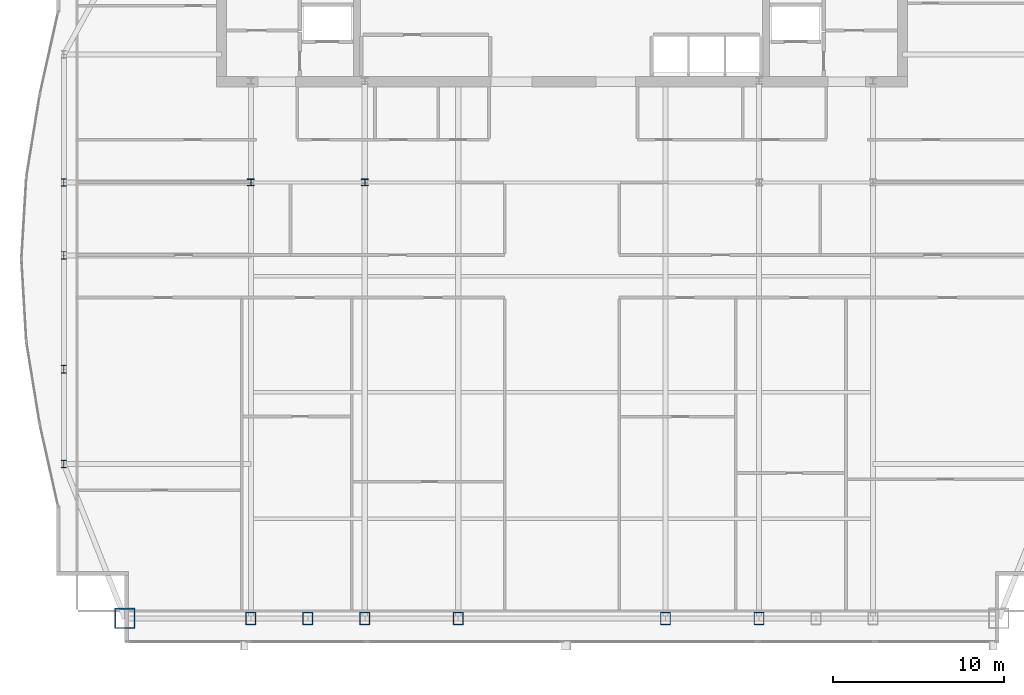
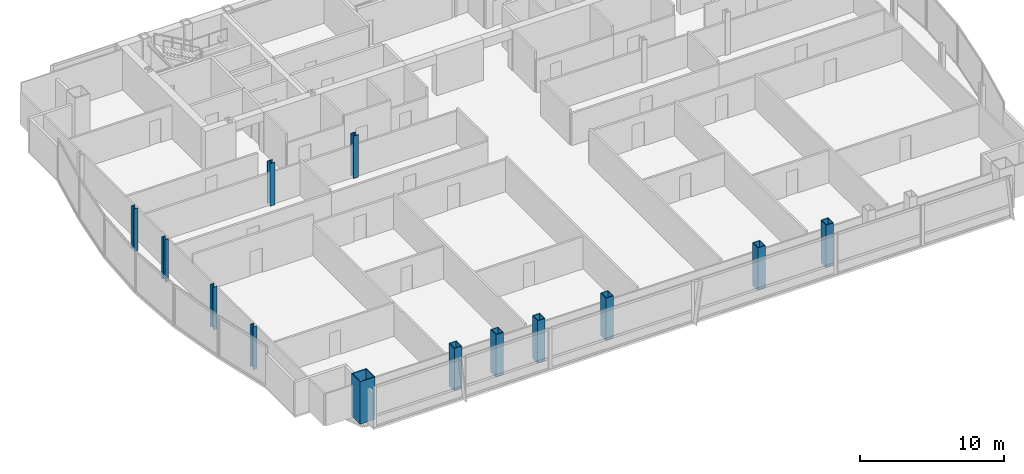
# One storey, part 1 of 30: 13 columns.
"""IFC4 building model written with IfcOpenShell, lengths in metres."""

from ifc_helpers import new_model, si_unit, direction, frame, origin, origin_2d, place, context, subcontext, project, spatial, hollow_rectangle, i_section, extrude, material, material_profile, profile_set, type_object, element, save


model = new_model("IFC4")

# Units and contexts
model_context = context("Model", 3, precision=1e-05, world=origin(), true_north=direction((0.0, 1.0)))
body_context = subcontext(model_context, "Body", "Model", "MODEL_VIEW")
ifc_project = project(units=[si_unit("LENGTHUNIT", "METRE"), si_unit("AREAUNIT", "SQUARE_METRE"), si_unit("VOLUMEUNIT", "CUBIC_METRE"), si_unit("PLANEANGLEUNIT", "RADIAN"), si_unit("MASSUNIT", "GRAM", prefix="KILO")], contexts=[model_context])

# Site, building, storey
site_placement = place(None, origin())
site = spatial("IfcSite", under=ifc_project, at=site_placement, CompositionType="ELEMENT")
building_placement = place(site_placement, origin())
building = spatial("IfcBuilding", under=site, at=building_placement, Name="Khoronbel Lancet Exchange", CompositionType="ELEMENT")
storey_placement = place(building_placement, frame((0.0, 0.0, 213.800048828125)))
storey = spatial("IfcBuildingStorey", under=building, at=storey_placement, Name="L54", CompositionType="ELEMENT", Elevation=213.800048828125)

# Columns
ifc_material_1 = material(Name="Steel S460", Category="steel")
ifc_material_profile_1 = material_profile(ifc_material_1, hollow_rectangle(XDim=0.60009765625, YDim=0.75, WallThickness=0.044921875, at=origin_2d()), Name="BOX 750x600x45")
ifc_profile_set_1 = profile_set([ifc_material_profile_1], Name="Steel S460")
column_type_1 = type_object("IfcColumnType", Name="COL-EC3", PredefinedType="COLUMN", material=ifc_profile_set_1)
for number, where, z_axis, x_axis, name in (
    (1, (18.22509765625, 10.14990234375, 0.0), (0.0, 0.0, 1.0), (1.0, 0.0, 0.0), "Structural column SC-W1 L54"),
    (2, (21.5625, 10.14990234375, 0.0), (0.0, 0.0, 1.0), (1.0, 0.0, 0.0), "Structural column SC-WM L54"),
    (3, (24.89990234375, 10.14990234375, 0.0), (0.0, 0.0, 1.0), (1.0, 0.0, 0.0), "Structural column SC-W2 L54"),
    (4, (30.375, 10.14990234375, 0.0), (0.0, 0.0, 1.0), (1.0, 0.0, 0.0), "Structural column SC-C1 L54"),
    (5, (42.52490234375, 10.14990234375, 0.0), (0.0, 0.0, 1.0), (1.0, 0.0, 0.0), "Structural column SC-C2 L54"),
    (6, (48.0, 10.14990234375, 0.0), (0.0, 0.0, 1.0), (1.0, 0.0, 0.0), "Structural column SC-E1 L54"),
):
    element("IfcColumn", number, at=place(storey_placement, frame(where, z_axis=z_axis, x_axis=x_axis)), inside=storey, type_object=column_type_1, Name=name, PredefinedType="COLUMN", context=body_context, shape_type="SweptSolid", body=[
        extrude(hollow_rectangle(XDim=0.60009765625, YDim=0.75, WallThickness=0.044921875, at=origin_2d()), origin(), (0.0, 0.0, 1.0), 3.599853515625),
    ])
ifc_material_2 = material(Name="Steel S355", Category="steel")
ifc_material_profile_2 = material_profile(ifc_material_2, i_section(OverallWidth=0.406005859375, OverallDepth=0.416015625, WebThickness=0.02978515625, FlangeThickness=0.048095703125, at=origin_2d()), Name="HD 400x382")
ifc_profile_set_2 = profile_set([ifc_material_profile_2], Name="Steel S355")
column_type_2 = type_object("IfcColumnType", Name="COL-IC3", PredefinedType="COLUMN", material=ifc_profile_set_2)
for number, where, z_axis, x_axis, name in (
    (7, (18.22509765625, 35.699951171875, 0.0), (0.0, 0.0, 1.0), (1.0, 0.0, 0.0), "Spine gravity column TC1 L54"),
    (8, (24.89990234375, 35.699951171875, 0.0), (0.0, 0.0, 1.0), (1.0, 0.0, 0.0), "Spine gravity column TC2 L54"),
):
    element("IfcColumn", number, at=place(storey_placement, frame(where, z_axis=z_axis, x_axis=x_axis)), inside=storey, type_object=column_type_2, Name=name, PredefinedType="COLUMN", context=body_context, shape_type="SweptSolid", body=[
        extrude(i_section(OverallWidth=0.406005859375, OverallDepth=0.416015625, WebThickness=0.02978515625, FlangeThickness=0.048095703125, at=origin_2d()), origin(), (0.0, 0.0, 1.0), 3.599853515625),
    ])
ifc_material_profile_3 = material_profile(ifc_material_2, i_section(OverallWidth=0.300048828125, OverallDepth=0.449951171875, WebThickness=0.013916015625, FlangeThickness=0.02587890625, at=origin_2d()), Name="HEB 450")
ifc_profile_set_3 = profile_set([ifc_material_profile_3], Name="Steel S355")
column_type_3 = type_object("IfcColumnType", Name="COL-LC2", PredefinedType="COLUMN", material=ifc_profile_set_3)
for number, where, z_axis, x_axis, name in (
    (9, (7.27001953125, 19.199951171875, 0.0), (0.0, 0.0, 1.0), (1.0, 0.0, 0.0), "Structural column WC-1 L54"),
    (10, (7.27001953125, 24.75, 0.0), (0.0, 0.0, 1.0), (1.0, 0.0, 0.0), "Structural column WC-2 L54"),
    (11, (7.27001953125, 31.425048828125, 0.0), (0.0, 0.0, 1.0), (1.0, 0.0, 0.0), "Structural column WC-M L54"),
    (12, (7.27001953125, 35.699951171875, 0.0), (0.0, 0.0, 1.0), (1.0, 0.0, 0.0), "Structural column WC-3 L54"),
):
    element("IfcColumn", number, at=place(storey_placement, frame(where, z_axis=z_axis, x_axis=x_axis)), inside=storey, type_object=column_type_3, Name=name, PredefinedType="COLUMN", context=body_context, shape_type="SweptSolid", body=[
        extrude(i_section(OverallWidth=0.300048828125, OverallDepth=0.449951171875, WebThickness=0.013916015625, FlangeThickness=0.02587890625, at=origin_2d()), origin(), (0.0, 0.0, 1.0), 3.599853515625),
    ])
ifc_material_profile_4 = material_profile(ifc_material_1, hollow_rectangle(XDim=1.199951171875, YDim=1.199951171875, WallThickness=0.06005859375, at=origin_2d()), Name="BOX 1200x1200x60")
ifc_profile_set_4 = profile_set([ifc_material_profile_4], Name="Steel S460")
column_type_4 = type_object("IfcColumnType", Name="COL-MC5", PredefinedType="COLUMN", material=ifc_profile_set_4)
column_placement = place(storey_placement, frame((10.85009765625, 10.14990234375, 0.0), z_axis=(0.0, 0.0, 1.0), x_axis=(1.0, 0.0, 0.0)))
element("IfcColumn", 13, at=column_placement, inside=storey, type_object=column_type_4, Name="Structural column MC-SW L54", PredefinedType="COLUMN", context=body_context, shape_type="SweptSolid", body=[
    extrude(hollow_rectangle(XDim=1.199951171875, YDim=1.199951171875, WallThickness=0.06005859375, at=origin_2d()), origin(), (0.0, 0.0, 1.0), 3.599853515625),
])

save(model, "model.ifc")
